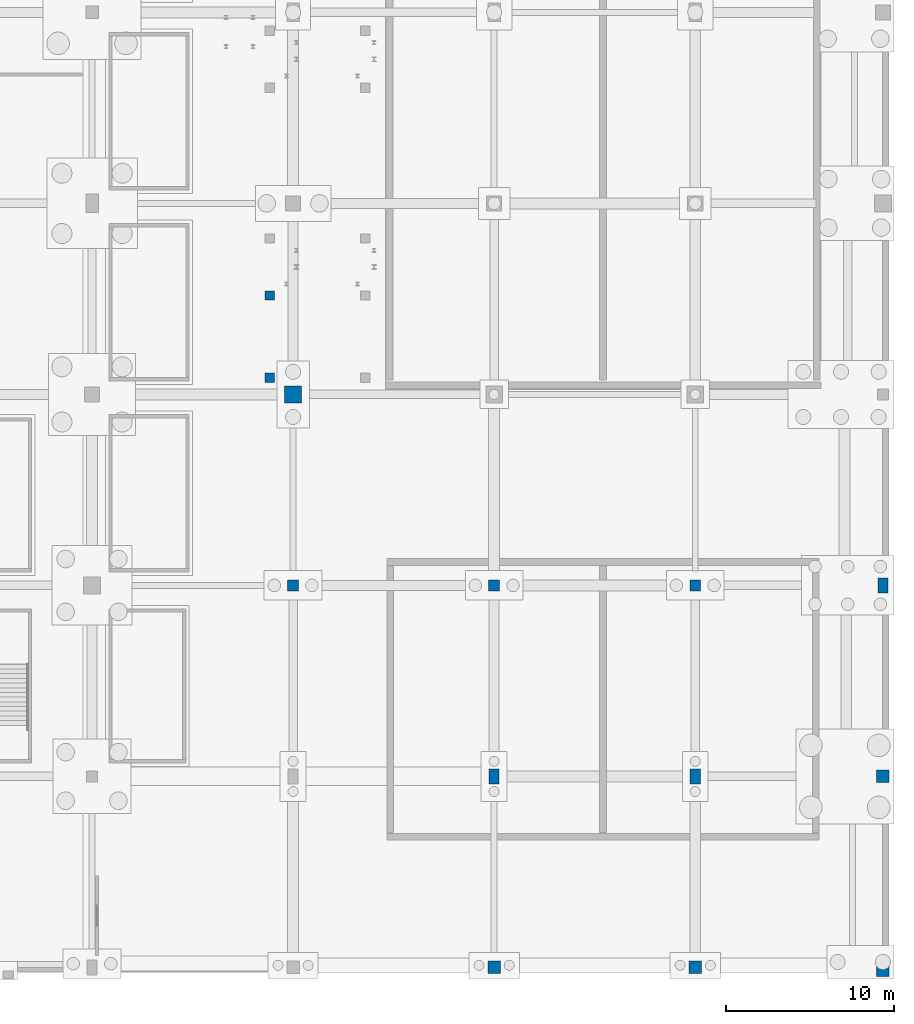
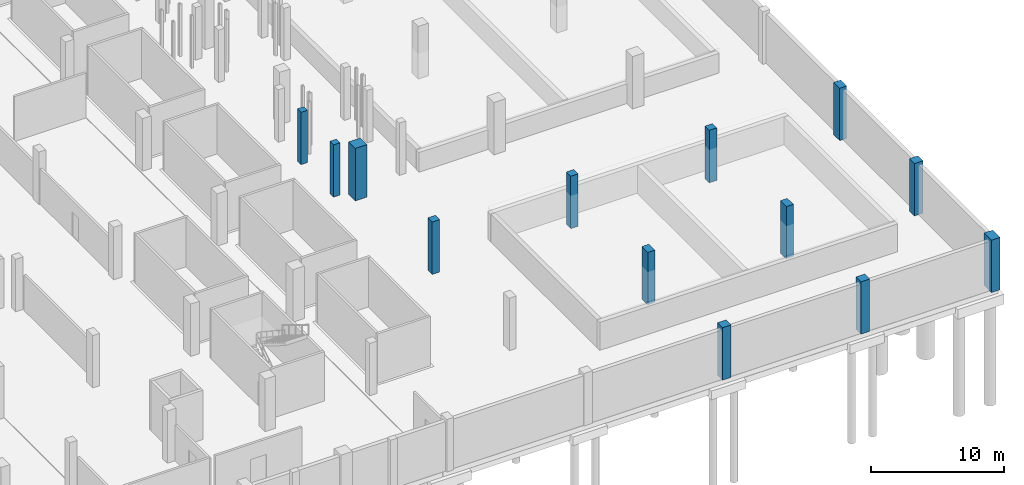
# One storey, part 14 of 34: 13 columns.
"""IFC4 building model written with IfcOpenShell, lengths in metres."""

from ifc_helpers import new_model, si_unit, direction, frame, origin, origin_2d, place, context, subcontext, project, spatial, rectangle, extrude, material, material_profile, profile_set, type_object, element, save


model = new_model("IFC4")

# Units and contexts
model_context = context("Model", 3, precision=1e-05, world=origin(), true_north=direction((0.0, 1.0)))
body_context = subcontext(model_context, "Body", "Model", "MODEL_VIEW")
ifc_project = project(units=[si_unit("LENGTHUNIT", "METRE"), si_unit("AREAUNIT", "SQUARE_METRE"), si_unit("VOLUMEUNIT", "CUBIC_METRE"), si_unit("PLANEANGLEUNIT", "RADIAN"), si_unit("MASSUNIT", "GRAM", prefix="KILO"), si_unit("POWERUNIT", "WATT"), si_unit("THERMODYNAMICTEMPERATUREUNIT", "KELVIN")], contexts=[model_context])

# Site, building, storey
site_placement = place(None, origin())
site = spatial("IfcSite", under=ifc_project, at=site_placement, CompositionType="ELEMENT")
building_placement = place(site_placement, origin())
building = spatial("IfcBuilding", under=site, at=building_placement, Name="Kelmbourne Parkland Aquatics Centre", CompositionType="ELEMENT")
storey_placement = place(building_placement, frame((0.0, 0.0, -4.800048828125)))
storey = spatial("IfcBuildingStorey", under=building, at=storey_placement, Name="B1", CompositionType="ELEMENT", Elevation=-4.800048828125)

# Columns
ifc_material = material(Name="Concrete C40/50", Category="concrete")
ifc_material_profile_1 = material_profile(ifc_material, rectangle(XDim=1.0, YDim=1.0, at=origin_2d()), Name="RC 1000x1000")
ifc_profile_set_1 = profile_set([ifc_material_profile_1], Name="Concrete C40/50")
column_type_1 = type_object("IfcColumnType", Name="COL-C01", PredefinedType="COLUMN", material=ifc_profile_set_1)
column_1_placement = place(storey_placement, frame((140.0, 35.0, 0.0), z_axis=(0.0, 0.0, 1.0), x_axis=(1.0, 0.0, 0.0)))
element("IfcColumn", 1, at=column_1_placement, inside=storey, type_object=column_type_1, Name="Structural column Q-05 (B1)", PredefinedType="COLUMN", context=body_context, shape_type="SweptSolid", body=[
    extrude(rectangle(XDim=1.0, YDim=1.0, at=origin_2d()), origin(), (0.0, 0.0, 1.0), 4.800048828125),
])
ifc_material_profile_2 = material_profile(ifc_material, rectangle(XDim=0.75, YDim=1.10009765625, at=origin_2d()), Name="RC 750x1100")
ifc_profile_set_2 = profile_set([ifc_material_profile_2], Name="Concrete C40/50")
column_type_2 = type_object("IfcColumnType", Name="COL-C03", PredefinedType="COLUMN", material=ifc_profile_set_2)
column_2_placement = place(storey_placement, frame((175.199951171875, 0.800048828125, 0.0), z_axis=(0.0, 0.0, 1.0), x_axis=(1.0, 0.0, 0.0)))
element("IfcColumn", 2, at=column_2_placement, inside=storey, type_object=column_type_2, Name="Structural column T-01 (B1)", PredefinedType="COLUMN", context=body_context, shape_type="SweptSolid", body=[
    extrude(rectangle(XDim=0.75, YDim=1.10009765625, at=origin_2d()), origin(), (0.0, 0.0, 1.0), 4.800048828125),
])
ifc_material_profile_3 = material_profile(ifc_material, rectangle(XDim=0.75, YDim=0.75, at=origin_2d()), Name="RC 750x750")
ifc_profile_set_3 = profile_set([ifc_material_profile_3], Name="Concrete C40/50")
column_type_3 = type_object("IfcColumnType", Name="COL-C04", PredefinedType="COLUMN", material=ifc_profile_set_3)
for number, where, z_axis, x_axis, name in (
    (3, (152.0, 0.800048828125, 0.0), (0.0, 0.0, 1.0), (1.0, 0.0, 0.0), "Structural column R-01 (B1)"),
    (4, (164.0, 0.800048828125, 0.0), (0.0, 0.0, 1.0), (1.0, 0.0, 0.0), "Structural column S-01 (B1)"),
    (5, (175.199951171875, 12.199951171875, 0.0), (0.0, 0.0, 1.0), (1.0, 0.0, 0.0), "Structural column T-03 (B1)"),
):
    element("IfcColumn", number, at=place(storey_placement, frame(where, z_axis=z_axis, x_axis=x_axis)), inside=storey, type_object=column_type_3, Name=name, PredefinedType="COLUMN", context=body_context, shape_type="SweptSolid", body=[
        extrude(rectangle(XDim=0.75, YDim=0.75, at=origin_2d()), origin(), (0.0, 0.0, 1.0), 4.800048828125),
    ])
ifc_material_profile_4 = material_profile(ifc_material, rectangle(XDim=0.60009765625, YDim=0.89990234375, at=origin_2d()), Name="RC 600x900")
ifc_profile_set_4 = profile_set([ifc_material_profile_4], Name="Concrete C40/50")
column_type_4 = type_object("IfcColumnType", Name="COL-C05", PredefinedType="COLUMN", material=ifc_profile_set_4)
for number, where, z_axis, x_axis, name in (
    (6, (152.0, 12.199951171875, 0.0), (0.0, 0.0, 1.0), (1.0, 0.0, 0.0), "Structural column R-03 (B1)"),
    (7, (164.0, 12.199951171875, 0.0), (0.0, 0.0, 1.0), (1.0, 0.0, 0.0), "Structural column S-03 (B1)"),
    (8, (175.199951171875, 23.60009765625, 0.0), (0.0, 0.0, 1.0), (1.0, 0.0, 0.0), "Structural column T-04 (B1)"),
):
    element("IfcColumn", number, at=place(storey_placement, frame(where, z_axis=z_axis, x_axis=x_axis)), inside=storey, type_object=column_type_4, Name=name, PredefinedType="COLUMN", context=body_context, shape_type="SweptSolid", body=[
        extrude(rectangle(XDim=0.60009765625, YDim=0.89990234375, at=origin_2d()), origin(), (0.0, 0.0, 1.0), 4.800048828125),
    ])
ifc_material_profile_5 = material_profile(ifc_material, rectangle(XDim=0.64990234375, YDim=0.64990234375, at=origin_2d()), Name="RC 650x650")
ifc_profile_set_5 = profile_set([ifc_material_profile_5], Name="Concrete C40/50")
column_type_5 = type_object("IfcColumnType", Name="COL-C06", PredefinedType="COLUMN", material=ifc_profile_set_5)
for number, where, z_axis, x_axis, name in (
    (9, (140.0, 23.60009765625, 0.0), (0.0, 0.0, 1.0), (1.0, 0.0, 0.0), "Structural column Q-04 (B1)"),
    (10, (152.0, 23.60009765625, 0.0), (0.0, 0.0, 1.0), (1.0, 0.0, 0.0), "Structural column R-04 (B1)"),
    (11, (164.0, 23.60009765625, 0.0), (0.0, 0.0, 1.0), (1.0, 0.0, 0.0), "Structural column S-04 (B1)"),
):
    element("IfcColumn", number, at=place(storey_placement, frame(where, z_axis=z_axis, x_axis=x_axis)), inside=storey, type_object=column_type_5, Name=name, PredefinedType="COLUMN", context=body_context, shape_type="SweptSolid", body=[
        extrude(rectangle(XDim=0.64990234375, YDim=0.64990234375, at=origin_2d()), origin(), (0.0, 0.0, 1.0), 4.800048828125),
    ])
ifc_material_profile_6 = material_profile(ifc_material, rectangle(XDim=0.550048828125, YDim=0.550048828125, at=origin_2d()), Name="RC 550x550")
ifc_profile_set_6 = profile_set([ifc_material_profile_6], Name="Concrete C40/50")
column_type_6 = type_object("IfcColumnType", Name="COL-C07", PredefinedType="COLUMN", material=ifc_profile_set_6)
for number, where, z_axis, x_axis, name in (
    (12, (138.60009765625, 36.0, 0.0), (0.0, 0.0, 1.0), (1.0, 0.0, 0.0), "Bowl RER basement pier 1"),
    (13, (138.60009765625, 40.89990234375, 0.0), (0.0, 0.0, 1.0), (1.0, 0.0, 0.0), "Bowl RER basement pier 2"),
):
    element("IfcColumn", number, at=place(storey_placement, frame(where, z_axis=z_axis, x_axis=x_axis)), inside=storey, type_object=column_type_6, Name=name, PredefinedType="COLUMN", context=body_context, shape_type="SweptSolid", body=[
        extrude(rectangle(XDim=0.550048828125, YDim=0.550048828125, at=origin_2d()), origin(), (0.0, 0.0, 1.0), 4.800048828125),
    ])

save(model, "model.ifc")
